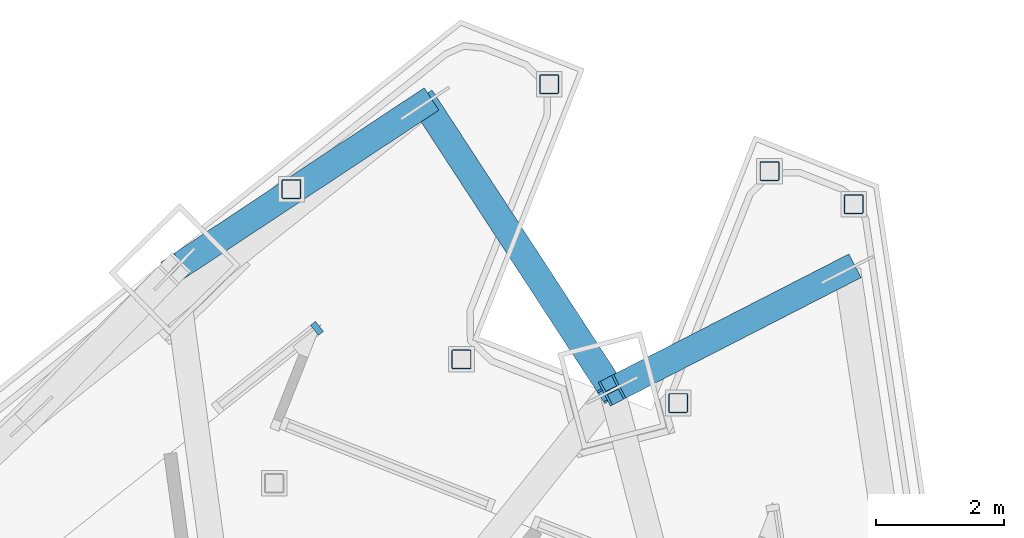
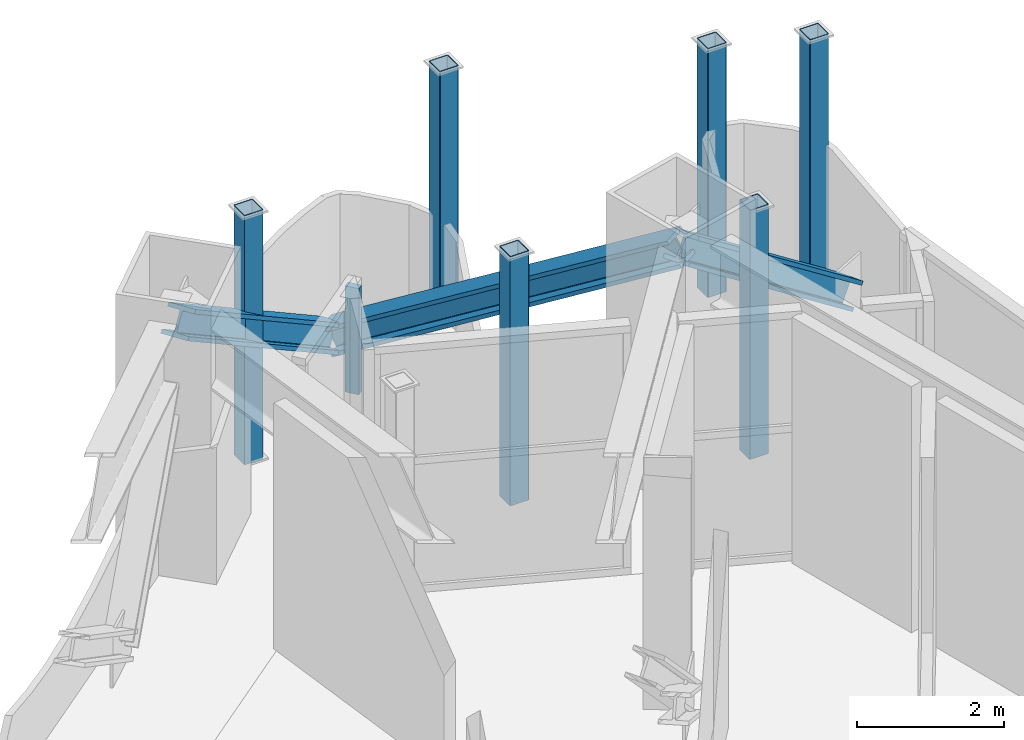
# One storey, part 8 of 27: 10 members, 1 element without a shape of its own.
"""IFC4 building model written with IfcOpenShell, lengths in metres."""

from ifc_helpers import new_model, si_unit, direction, frame, origin, origin_2d, place, context, subcontext, project, spatial, rectangle, hollow_rectangle, i_section, extrude, material, layer, layer_set, material_profile, profile_set, type_object, element, aggregate, save


model = new_model("IFC4")

# Units and contexts
model_context = context("Model", 3, precision=1e-05, world=origin(), true_north=direction((0.0, 1.0)))
body_context = subcontext(model_context, "Body", "Model", "MODEL_VIEW")
ifc_project = project(units=[si_unit("LENGTHUNIT", "METRE"), si_unit("AREAUNIT", "SQUARE_METRE"), si_unit("VOLUMEUNIT", "CUBIC_METRE"), si_unit("PLANEANGLEUNIT", "RADIAN"), si_unit("MASSUNIT", "GRAM", prefix="KILO")], contexts=[model_context])

# Site, building, storey
site_placement = place(None, origin())
site = spatial("IfcSite", under=ifc_project, at=site_placement, CompositionType="ELEMENT")
building_placement = place(site_placement, origin())
building = spatial("IfcBuilding", under=site, at=building_placement, Name="Trine Commons Tower", CompositionType="ELEMENT")
storey_placement = place(building_placement, frame((0.0, 0.0, 230.39990234375)))
storey = spatial("IfcBuildingStorey", under=building, at=storey_placement, Name="L60", CompositionType="ELEMENT", Elevation=230.39990234375)

# Curtain wall, member
ifc_material_1 = material(Name="Plant louvre wall: anodised aluminium frame with anodised aluminium louvre blades", Category="aluminium")
ifc_layer = layer(ifc_material_1, 0.199951171875)
ifc_layer_set = layer_set([ifc_layer], Name="Plant louvre wall: anodised aluminium frame with anodised aluminium louvre blades")
curtain_wall_type = type_object("IfcCurtainWallType", Name="Plant louvre wall curtain wall CW7", PredefinedType="NOTDEFINED", material=ifc_layer_set)
curtain_wall_placement = place(storey_placement, origin())
curtain_wall = element("IfcCurtainWall", 1, at=curtain_wall_placement, inside=storey, type_object=curtain_wall_type, Name="Plant louvre wall L60 F1.2", PredefinedType="NOTDEFINED")
ifc_material_2 = material(Name="Anodised aluminium, bronze finish", Category="aluminium")
ifc_material_profile_1 = material_profile(ifc_material_2, rectangle(XDim=0.199951171875, YDim=0.10009765625, at=origin_2d()), Name="Mullion 100x200")
ifc_profile_set_1 = profile_set([ifc_material_profile_1], Name="Anodised aluminium, bronze finish")
member_type_1 = type_object("IfcMemberType", Name="Mullion 100x200, Anodised aluminium, bronze finish", PredefinedType="MULLION", material=ifc_profile_set_1)
member_1_placement = place(storey_placement, frame((85.734130859375, 87.493408203125, 2.260009765625), z_axis=(0.0, 0.0, 1.0), x_axis=(-0.622514636638, 0.782608156852, 0.0)))
member_1 = element("IfcMember", 2, at=member_1_placement, type_object=member_type_1, Name="CW7 mullion 2.2", PredefinedType="MULLION", context=body_context, shape_type="SweptSolid", body=[
    extrude(rectangle(XDim=0.199951171875, YDim=0.10009765625, at=origin_2d()), origin(), (0.0, 0.0, 1.0), 1.77001953125),
])
aggregate(curtain_wall, [member_1])

# Members
ifc_material_3 = material(Name="Structural steel ASTM A992 Gr50", Category="steel")
ifc_material_profile_2 = material_profile(ifc_material_3, i_section(OverallWidth=0.416015625, OverallDepth=0.444580078125, WebThickness=0.0390625, FlangeThickness=0.062744140625, FilletRadius=0.015380859375, at=origin_2d()), Name="W14X342")
ifc_profile_set_2 = profile_set([ifc_material_profile_2], Name="Structural steel ASTM A992 Gr50")
member_type_2 = type_object("IfcMemberType", Name="Steel brace W14X342, ASTM A992 Gr50", PredefinedType="BRACE", material=ifc_profile_set_2)
member_2_placement = place(storey_placement, frame((87.419189453125, 91.006103515625, 0.468505859375), z_axis=(-0.690517451907, -0.456679114249, 0.560918742084), x_axis=(0.551630858146, -0.83408836243, 0.0)))
element("IfcMember", 3, at=member_2_placement, inside=storey, type_object=member_type_2, Name="Belt truss brace T6-DG-24", PredefinedType="BRACE", context=body_context, shape_type="SweptSolid", body=[
    extrude(i_section(OverallWidth=0.416015625, OverallDepth=0.444580078125, WebThickness=0.0390625, FlangeThickness=0.062744140625, FilletRadius=0.015380859375, at=origin_2d()), origin(), (0.0, 0.0, 1.0), 5.660888671875),
])
member_3_placement = place(storey_placement, frame((94.014892578125, 88.407958984375, 0.468505859375), z_axis=(-0.705440525132, -0.361323195799, 0.609753403992), x_axis=(0.455875869806, -0.890043364859, 0.0)))
element("IfcMember", 4, at=member_3_placement, inside=storey, type_object=member_type_2, Name="Belt truss brace T6-DG-25", PredefinedType="BRACE", context=body_context, shape_type="SweptSolid", body=[
    extrude(i_section(OverallWidth=0.416015625, OverallDepth=0.444580078125, WebThickness=0.0390625, FlangeThickness=0.062744140625, FilletRadius=0.015380859375, at=origin_2d()), origin(), (0.0, 0.0, 1.0), 5.20751953125),
])
member_4_placement = place(storey_placement, frame((87.419189453125, 91.006103515625, 0.468505859375), z_axis=(0.469788589884, -0.720206436275, 0.510491302534), x_axis=(0.837563373432, 0.546340182931, 0.0)))
element("IfcMember", 5, at=member_4_placement, inside=storey, type_object=member_type_2, Name="Belt truss brace T6-DG-26", PredefinedType="BRACE", context=body_context, shape_type="SweptSolid", body=[
    extrude(i_section(OverallWidth=0.416015625, OverallDepth=0.444580078125, WebThickness=0.0390625, FlangeThickness=0.062744140625, FilletRadius=0.015380859375, at=origin_2d()), origin(), (0.0, 0.0, 1.0), 6.219970703125),
])
ifc_material_4 = material(Name="Structural steel ASTM A500 Gr C", Category="steel")
ifc_material_profile_3 = material_profile(ifc_material_4, hollow_rectangle(XDim=0.3046875, YDim=0.3046875, WallThickness=0.014892578125, InnerFilletRadius=0.00732421875, OuterFilletRadius=0.022216796875, at=origin_2d()), Name="HSS12X12X5/8")
ifc_profile_set_3 = profile_set([ifc_material_profile_3], Name="Structural steel ASTM A500 Gr C")
member_type_3 = type_object("IfcMemberType", Name="Steel post HSS12X12X5/8, ASTM A500 Gr C", PredefinedType="POST", material=ifc_profile_set_3)
for number, where, z_axis, x_axis, name in (
    (6, (89.3583984375, 91.305419921875, 0.0), (0.0, 0.0, 1.0), (1.0, 0.0, 0.0), "Roof post SP6-41"),
    (7, (85.335205078125, 89.667724609375, 0.0), (0.0, 0.0, 1.0), (1.0, 0.0, 0.0), "Roof post SP6-43"),
    (8, (87.989990234375, 87.0078125, 0.0), (0.0, 0.0, 1.0), (1.0, 0.0, 0.0), "Roof post SP6-44"),
    (9, (92.80078125, 89.94921875, 0.0), (0.0, 0.0, 1.0), (1.0, 0.0, 0.0), "Roof post SP6-51"),
    (10, (94.11474609375, 89.431884765625, 0.0), (0.0, 0.0, 1.0), (1.0, 0.0, 0.0), "Roof post SP6-52"),
    (11, (91.3740234375, 86.3271484375, 0.0), (0.0, 0.0, 1.0), (1.0, 0.0, 0.0), "Roof post SP6-54"),
):
    element("IfcMember", number, at=place(storey_placement, frame(where, z_axis=z_axis, x_axis=x_axis)), inside=storey, type_object=member_type_3, Name=name, PredefinedType="POST", context=body_context, shape_type="SweptSolid", body=[
        extrude(hollow_rectangle(XDim=0.3046875, YDim=0.3046875, WallThickness=0.014892578125, InnerFilletRadius=0.00732421875, OuterFilletRadius=0.022216796875, at=origin_2d()), origin(), (0.0, 0.0, 1.0), 4.150146484375),
    ])

save(model, "model.ifc")
